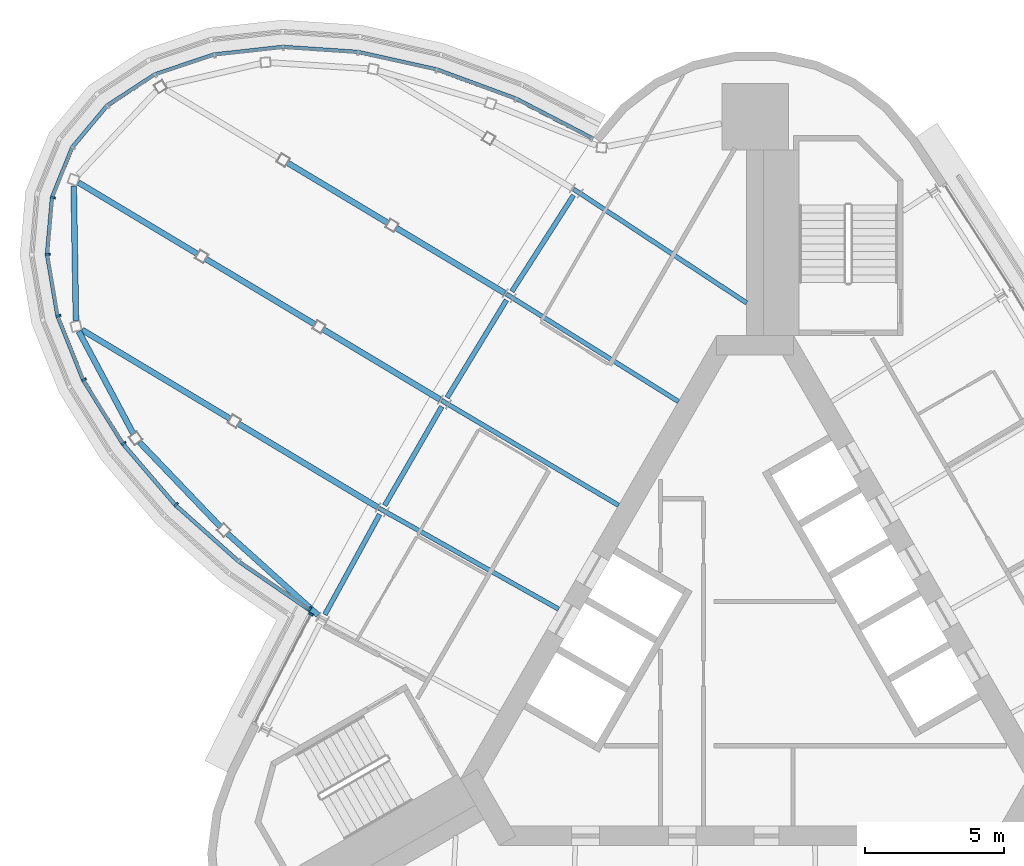
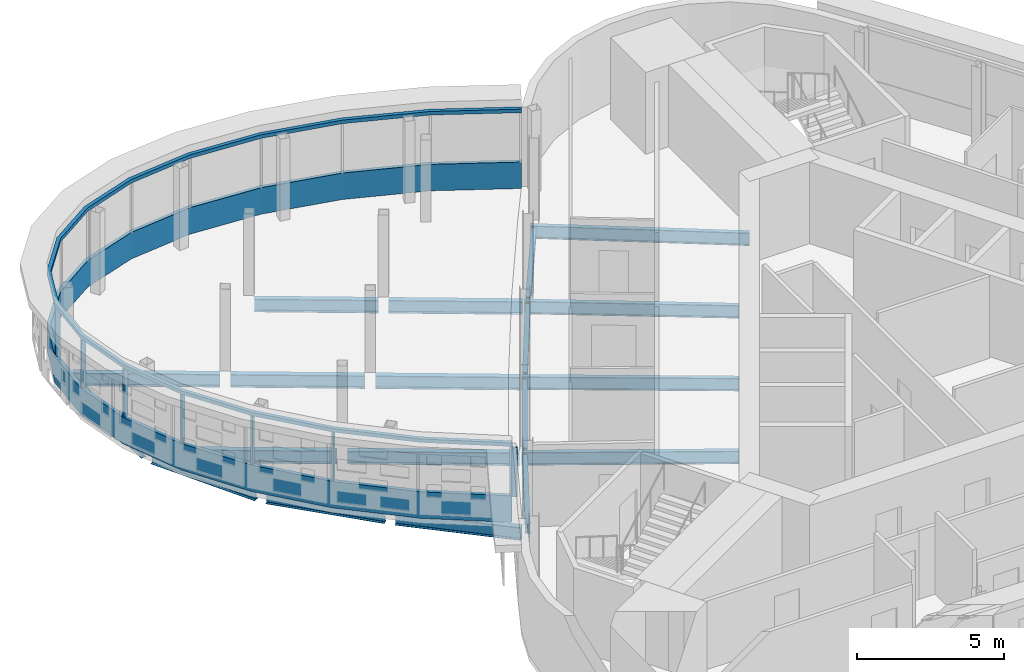
# One storey, part 5 of 13: 19 beams, 10 members, 2 elements without a shape of their own.
"""IFC4 building model written with IfcOpenShell, lengths in metres."""

import ifcopenshell
import ifcopenshell.guid

model = None  # the IFC model being written
_history = None  # IfcOwnerHistory: only IFC2X3 demands one
_inside = {}  # id of a spatial element -> (the spatial element, [elements in it])
_under = {}  # id of a project, library or spatial element -> (it, [spatial elements below it])
_declared = {}  # id of a project -> (the project, [libraries it declares])
_typed = {}  # id of a type object -> (the type object, [elements of that type])
_made_of = {}  # id of a material, layer set ... -> (it, [elements and type objects made of it])


def new_model(schema):
    """Start an empty IFC model of exactly this schema.

    Asked for "IFC4X3", IfcOpenShell would pick the latest addendum, in which some entities
    have other attributes; the version numbers below select the first issue.
    IFC2X3 requires an IfcOwnerHistory on every rooted entity: one is made here for all.
    """
    global model, _history
    if schema == "IFC4X3":
        model = ifcopenshell.file(schema_version=(4, 3, 0, 0))
    else:
        model = ifcopenshell.file(schema=schema)
    _inside.clear()
    _under.clear()
    _declared.clear()
    _typed.clear()
    _made_of.clear()
    _history = None
    if model.schema == "IFC2X3":
        org = make("IfcOrganization", Name="unknown")
        user = make(
            "IfcPersonAndOrganization",
            ThePerson=make("IfcPerson", FamilyName="unknown"),
            TheOrganization=org,
        )
        app = make(
            "IfcApplication",
            ApplicationDeveloper=org,
            Version="unknown",
            ApplicationFullName="unknown",
            ApplicationIdentifier="unknown",
        )
        _history = make(
            "IfcOwnerHistory",
            OwningUser=user,
            OwningApplication=app,
            ChangeAction="ADDED",
            CreationDate=0,
        )
    return model


def make(cls, **values):
    """One entity of the class cls with the attributes given. An attribute that is None is left unset."""
    return model.create_entity(
        cls, **{name: value for name, value in values.items() if value is not None}
    )


def rooted(cls, **values):
    """An entity with a GlobalId (a new one), such as an element, a storey or a relation."""
    return make(cls, GlobalId=ifcopenshell.guid.new(), OwnerHistory=_history, **values)


def si_unit(unit_type, name, prefix=None):
    """IfcSIUnit, for example si_unit("LENGTHUNIT", "METRE", prefix="MILLI")."""
    return make("IfcSIUnit", UnitType=unit_type, Prefix=prefix, Name=name)


def assignment(units):
    """IfcUnitAssignment: the units of a project."""
    return None if units is None else make("IfcUnitAssignment", Units=units)


def point(xyz):
    """IfcCartesianPoint."""
    return None if xyz is None else make("IfcCartesianPoint", Coordinates=xyz)


def direction(xyz):
    """IfcDirection."""
    return None if xyz is None else make("IfcDirection", DirectionRatios=xyz)


def frame(location, z_axis=None, x_axis=None):
    """IfcAxis2Placement3D, a coordinate frame: its origin and axes. An axis left out is left unset."""
    return make(
        "IfcAxis2Placement3D",
        Location=point(location),
        Axis=direction(z_axis),
        RefDirection=direction(x_axis),
    )


def frame_2d(location, x_axis=None):
    """IfcAxis2Placement2D, a coordinate frame in the plane: its origin and x axis."""
    return make(
        "IfcAxis2Placement2D", Location=point(location), RefDirection=direction(x_axis)
    )


def origin():
    """The frame at (0, 0, 0) with its axes left unset."""
    return frame((0.0, 0.0, 0.0))


def origin_2d():
    """The frame at (0, 0) in the plane with its x axis left unset."""
    return frame_2d((0.0, 0.0))


def place(relative_to, where):
    """IfcLocalPlacement: puts the frame where relative to a parent placement (None: the world)."""
    return make(
        "IfcLocalPlacement", PlacementRelTo=relative_to, RelativePlacement=where
    )


def context(
    kind, dimensions, precision=None, world=None, true_north=None, identifier=None
):
    """IfcGeometricRepresentationContext, for example the 3D "Model" context."""
    return make(
        "IfcGeometricRepresentationContext",
        ContextIdentifier=identifier,
        ContextType=kind,
        CoordinateSpaceDimension=dimensions,
        Precision=precision,
        WorldCoordinateSystem=world,
        TrueNorth=true_north,
    )


def subcontext(parent, identifier, kind, view, scale=None):
    """IfcGeometricRepresentationSubContext, for example "Body" below "Model"."""
    return make(
        "IfcGeometricRepresentationSubContext",
        ContextIdentifier=identifier,
        ContextType=kind,
        ParentContext=parent,
        TargetScale=scale,
        TargetView=view,
    )


def project(units=None, contexts=None):
    """IfcProject with its units and contexts."""
    return rooted(
        "IfcProject",
        Name="project",
        RepresentationContexts=contexts,
        UnitsInContext=assignment(units),
    )


def spatial(cls, under=None, at=None, **own):
    """A site, building, storey or space (cls), placed at a placement, below another one or the project."""
    s = rooted(cls, ObjectPlacement=at, **own)
    if under is not None:
        _under.setdefault(under.id(), (under, []))[1].append(s)
    return s


def polyline(points):
    """IfcPolyline through the points."""
    return make("IfcPolyline", Points=[point(p) for p in points])


def profile(cls, at=None, kind="AREA", **sizes):
    """A parametric profile (cls). Its sizes go by their IFC names, for example OverallWidth=200.0."""
    return make(cls, ProfileType=kind, Position=at, **sizes)


def rectangle(**sizes):
    """IfcRectangleProfileDef."""
    return profile("IfcRectangleProfileDef", **sizes)


def i_section(**sizes):
    """IfcIShapeProfileDef."""
    return profile("IfcIShapeProfileDef", **sizes)


def outline(outer, holes=None, kind="AREA"):
    """IfcArbitraryClosedProfileDef: a profile drawn as a closed curve; with holes, ...WithVoids."""
    if holes is None:
        return make("IfcArbitraryClosedProfileDef", ProfileType=kind, OuterCurve=outer)
    return make(
        "IfcArbitraryProfileDefWithVoids",
        ProfileType=kind,
        OuterCurve=outer,
        InnerCurves=holes,
    )


def extrude(swept, where, along, depth):
    """IfcExtrudedAreaSolid: the profile swept, set in the frame where, extruded along a direction by depth."""
    return make(
        "IfcExtrudedAreaSolid",
        SweptArea=swept,
        Position=where,
        ExtrudedDirection=direction(along),
        Depth=depth,
    )


def shape(context_of_items, identifier, shape_type, items):
    """IfcShapeRepresentation: the items that make up one representation, for example the "Body"."""
    return make(
        "IfcShapeRepresentation",
        ContextOfItems=context_of_items,
        RepresentationIdentifier=identifier,
        RepresentationType=shape_type,
        Items=items,
    )


def material(Name=None, Category=None):
    """IfcMaterial."""
    return make("IfcMaterial", Name=Name, Category=Category)


def material_profile(
    of_material, cross_section, Name=None, Category=None, Priority=None
):
    """IfcMaterialProfile: a cross section and its material."""
    return make(
        "IfcMaterialProfile",
        Name=Name,
        Material=of_material,
        Profile=cross_section,
        Priority=Priority,
        Category=Category,
    )


def profile_set(profiles, Name=None, composite=None):
    """IfcMaterialProfileSet."""
    return make(
        "IfcMaterialProfileSet",
        Name=Name,
        MaterialProfiles=profiles,
        CompositeProfile=composite,
    )


def made_of(thing, what):
    """Note that an element or type object is made of a material, layer set ...; save() writes the relation."""
    if what is not None:
        _made_of.setdefault(what.id(), (what, []))[1].append(thing)
    return thing


def type_object(cls, material=None, **own):
    """A type object (cls), such as IfcWallType, which elements share."""
    return made_of(rooted(cls, **own), material)


def element(
    cls,
    number,
    at=None,
    inside=None,
    cuts=None,
    type_object=None,
    material=None,
    context=None,
    identifier="Body",
    shape_type=None,
    held_by="IfcProductDefinitionShape",
    body=None,
    shapes=None,
    **own,
):
    """One element of the class cls, such as IfcWall. Its Tag is "e" and its number.

    at: its placement. inside: the storey or other place that contains it. cuts: it is an
    opening in that element (IfcRelVoidsElement). A single representation is given by context,
    identifier, shape_type and body (its items); several are given by shapes. held_by: the class
    of the entity that holds the representations. save() writes the other relations.
    """
    e = rooted(cls, Tag="e%d" % number, ObjectPlacement=at, **own)
    if body is not None:
        shapes = [shape(context, identifier, shape_type, body)]
    if shapes is not None:
        e.Representation = make(held_by, Representations=shapes)
    if inside is not None:
        _inside.setdefault(inside.id(), (inside, []))[1].append(e)
    if cuts is not None:
        rooted(
            "IfcRelVoidsElement", RelatingBuildingElement=cuts, RelatedOpeningElement=e
        )
    if type_object is not None:
        _typed.setdefault(type_object.id(), (type_object, []))[1].append(e)
    return made_of(e, material)


def aggregate(whole, parts):
    """IfcRelAggregates: a whole, such as a stair, and the parts it consists of."""
    return rooted("IfcRelAggregates", RelatingObject=whole, RelatedObjects=parts)


def save(model, path):
    """Write the relations noted so far, then the file.

    IfcRelAggregates (storeys below a building ...), IfcRelContainedInSpatialStructure (elements
    in a storey), IfcRelDefinesByType, IfcRelAssociatesMaterial and IfcRelDeclares: one each for
    every whole, place, type object, material and project.
    """
    for whole, parts in _under.values():
        aggregate(whole, parts)
    for where, things in _inside.values():
        rooted(
            "IfcRelContainedInSpatialStructure",
            RelatedElements=things,
            RelatingStructure=where,
        )
    for kind, things in _typed.values():
        rooted("IfcRelDefinesByType", RelatedObjects=things, RelatingType=kind)
    for what, things in _made_of.values():
        rooted("IfcRelAssociatesMaterial", RelatedObjects=things, RelatingMaterial=what)
    for by, libraries in _declared.values():
        rooted("IfcRelDeclares", RelatingContext=by, RelatedDefinitions=libraries)
    model.write(path)


model = new_model("IFC4")

# Units and contexts
model_context = context("Model", 3, precision=1e-05, world=origin(), true_north=direction((0.0, 1.0)))
body_context = subcontext(model_context, "Body", "Model", "MODEL_VIEW")
ifc_project = project(units=[si_unit("LENGTHUNIT", "METRE"), si_unit("AREAUNIT", "SQUARE_METRE"), si_unit("VOLUMEUNIT", "CUBIC_METRE"), si_unit("PLANEANGLEUNIT", "RADIAN"), si_unit("MASSUNIT", "GRAM", prefix="KILO")], contexts=[model_context])

# Site, building, storey
site_placement = place(None, origin())
site = spatial("IfcSite", under=ifc_project, at=site_placement, CompositionType="ELEMENT")
building_placement = place(site_placement, origin())
building = spatial("IfcBuilding", under=site, at=building_placement, Name="Noor Cloister Tower", CompositionType="ELEMENT")
storey_placement = place(building_placement, frame((0.0, 0.0, 267.0)))
storey = spatial("IfcBuildingStorey", under=building, at=storey_placement, Name="L68", CompositionType="ELEMENT", Elevation=267.0)

# Curtain wall, member
ifc_material_1 = material(Name="Aluminium 6063-T6 anodised", Category="aluminium")
curtain_wall_type_1 = type_object("IfcCurtainWallType", Name="Sky bar curtain wall, upper bars CW6", PredefinedType="NOTDEFINED", material=ifc_material_1)
curtain_wall_1_placement = place(storey_placement, origin())
curtain_wall_1 = element("IfcCurtainWall", 1, at=curtain_wall_1_placement, inside=storey, type_object=curtain_wall_type_1, Name="CW6 L68 NW sky bar run 1", PredefinedType="NOTDEFINED")
ifc_material_2 = material(Name="Aluminium 6063-T6 anodised", Category="aluminium")
member_type_1 = type_object("IfcMemberType", Name="Head transom CW6 150", PredefinedType="USERDEFINED", material=ifc_material_2)
member_1_placement = place(storey_placement, frame((0.0, 0.0, 3.14990234375)))
member_1 = element("IfcMember", 2, at=member_1_placement, type_object=member_type_1, Name="CW6 head transom", ObjectType="TRANSOM", PredefinedType="USERDEFINED", context=body_context, shape_type="SweptSolid", body=[
    extrude(outline(polyline([(-5.809814453125, 18.609619140625), (-8.585205078125, 20.05078125), (-11.451416015625, 21.107421875), (-14.298095703125, 21.7392578125), (-17.015869140625, 21.921875), (-19.500244140625, 21.6484375), (-21.65576171875, 20.928955078125), (-23.399658203125, 19.79150390625), (-24.6650390625, 18.27978515625), (-25.403076171875, 16.45166015625), (-25.58544921875, 14.377685546875), (-25.205078125, 12.13720703125), (-24.276611328125, 9.816650390625), (-22.8359375, 7.5048828125), (-20.938232421875, 5.291015625), (-18.65625, 3.260009765625), (-16.078125, 1.489990234375), (-15.9990234375, 1.60546875), (-18.56982421875, 3.37060546875), (-20.838134765625, 5.389404296875), (-22.72265625, 7.588134765625), (-24.1513671875, 9.880126953125), (-25.069580078125, 12.17529296875), (-25.4443359375, 14.38330078125), (-25.265380859375, 16.418701171875), (-24.54345703125, 18.206787109375), (-23.305908203125, 19.685791015625), (-21.594482421875, 20.802001953125), (-19.469970703125, 21.5107421875), (-17.012939453125, 21.781494140625), (-14.318115234375, 21.600341796875), (-11.490966796875, 20.972900390625), (-8.64208984375, 19.92236328125), (-5.874267578125, 18.4853515625), (-5.809814453125, 18.609619140625)])), origin(), (0.0, 0.0, 1.0), 0.150146484375),
])

ifc_material_3 = material(Name="Aluminium 6063-T6 anodised", Category="aluminium")
curtain_wall_type_2 = type_object("IfcCurtainWallType", Name="Ribbon curtain wall, upper tower CW5", PredefinedType="NOTDEFINED", material=ifc_material_3)
curtain_wall_2_placement = place(storey_placement, origin())
curtain_wall_2 = element("IfcCurtainWall", 3, at=curtain_wall_2_placement, inside=storey, type_object=curtain_wall_type_2, Name="CW5 L68 NW run 2", PredefinedType="NOTDEFINED")
ifc_material_4 = material(Name="Aluminium 6063-T6 anodised", Category="aluminium")
ifc_material_profile_1 = material_profile(ifc_material_4, rectangle(XDim=0.179931640625, YDim=0.070068359375, at=origin_2d()), Name="180 x 70 mullion")
ifc_profile_set_1 = profile_set([ifc_material_profile_1], Name="Aluminium 6063-T6 anodised")
member_type_2 = type_object("IfcMemberType", Name="Mullion CW5 70 x 180", PredefinedType="MULLION", material=ifc_profile_set_1)
member_2_placement = place(storey_placement, frame((-16.00537109375, 1.4130859375, 1.10009765625), z_axis=(0.0, 0.0, 1.0), x_axis=(0.888277980529, -0.459306247842, 0.0)))
member_2 = element("IfcMember", 4, at=member_2_placement, type_object=member_type_2, Name="CW5 mullion 1", PredefinedType="MULLION", context=body_context, shape_type="SweptSolid", body=[
    extrude(rectangle(XDim=0.179931640625, YDim=0.070068359375, at=origin_2d()), origin(), (0.0, 0.0, 1.0), 2.0498046875),
])
aggregate(curtain_wall_2, [member_2])

# Member
ifc_material_5 = material(Name="Aluminium 6063-T6 anodised", Category="aluminium")
ifc_material_profile_2 = material_profile(ifc_material_5, rectangle(XDim=0.179931640625, YDim=0.070068359375, at=origin_2d()), Name="180 x 70 mullion")
ifc_profile_set_2 = profile_set([ifc_material_profile_2], Name="Aluminium 6063-T6 anodised")
member_type_3 = type_object("IfcMemberType", Name="Mullion CW6 70 x 180", PredefinedType="MULLION", material=ifc_profile_set_2)
member_3_placement = place(storey_placement, frame((-25.3046875, 16.42822265625, 1.10009765625), z_axis=(0.0, 0.0, 1.0), x_axis=(0.972354362217, -0.233510158832, 0.0)))
member_3 = element("IfcMember", 5, at=member_3_placement, type_object=member_type_3, Name="CW6 mullion 10", PredefinedType="MULLION", context=body_context, shape_type="SweptSolid", body=[
    extrude(rectangle(XDim=0.179931640625, YDim=0.070068359375, at=origin_2d()), origin(), (0.0, 0.0, 1.0), 2.0498046875),
])

member_4_placement = place(storey_placement, frame((-25.484619140625, 14.381591796875, 1.10009765625), z_axis=(0.0, 0.0, 1.0), x_axis=(0.999190597813, 0.040226225795, 0.0)))
member_4 = element("IfcMember", 6, at=member_4_placement, type_object=member_type_3, Name="CW6 mullion 11", PredefinedType="MULLION", context=body_context, shape_type="SweptSolid", body=[
    extrude(rectangle(XDim=0.179931640625, YDim=0.070068359375, at=origin_2d()), origin(), (0.0, 0.0, 1.0), 2.0498046875),
])

member_5_placement = place(storey_placement, frame((-25.108154296875, 12.16455078125, 1.10009765625), z_axis=(0.0, 0.0, 1.0), x_axis=(0.962599996662, 0.270926643995, 0.0)))
member_5 = element("IfcMember", 7, at=member_5_placement, type_object=member_type_3, Name="CW6 mullion 12", PredefinedType="MULLION", context=body_context, shape_type="SweptSolid", body=[
    extrude(rectangle(XDim=0.179931640625, YDim=0.070068359375, at=origin_2d()), origin(), (0.0, 0.0, 1.0), 2.0498046875),
])

member_6_placement = place(storey_placement, frame((-24.18701171875, 9.862060546875, 1.10009765625), z_axis=(0.0, 0.0, 1.0), x_axis=(0.892044508873, 0.451947556902, 0.0)))
member_6 = element("IfcMember", 8, at=member_6_placement, type_object=member_type_3, Name="CW6 mullion 13", PredefinedType="MULLION", context=body_context, shape_type="SweptSolid", body=[
    extrude(rectangle(XDim=0.179931640625, YDim=0.070068359375, at=origin_2d()), origin(), (0.0, 0.0, 1.0), 2.0498046875),
])

member_7_placement = place(storey_placement, frame((-22.755126953125, 7.564208984375, 1.10009765625), z_axis=(0.0, 0.0, 1.0), x_axis=(0.806254638187, 0.591568642173, 0.0)))
member_7 = element("IfcMember", 9, at=member_7_placement, type_object=member_type_3, Name="CW6 mullion 14", PredefinedType="MULLION", context=body_context, shape_type="SweptSolid", body=[
    extrude(rectangle(XDim=0.179931640625, YDim=0.070068359375, at=origin_2d()), origin(), (0.0, 0.0, 1.0), 2.0498046875),
])

member_8_placement = place(storey_placement, frame((-20.86669921875, 5.361328125, 1.10009765625), z_axis=(0.0, 0.0, 1.0), x_axis=(0.713665786899, 0.700486362901, 0.0)))
member_8 = element("IfcMember", 10, at=member_8_placement, type_object=member_type_3, Name="CW6 mullion 15", PredefinedType="MULLION", context=body_context, shape_type="SweptSolid", body=[
    extrude(rectangle(XDim=0.179931640625, YDim=0.070068359375, at=origin_2d()), origin(), (0.0, 0.0, 1.0), 2.0498046875),
])

member_9_placement = place(storey_placement, frame((-16.05029296875, 1.59228515625, 1.10009765625), z_axis=(0.0, 0.0, 1.0), x_axis=(0.565996619473, 0.824407561067, 0.0)))
member_9 = element("IfcMember", 11, at=member_9_placement, type_object=member_type_3, Name="CW6 mullion 17", PredefinedType="MULLION", context=body_context, shape_type="SweptSolid", body=[
    extrude(rectangle(XDim=0.179931640625, YDim=0.070068359375, at=origin_2d()), origin(), (0.0, 0.0, 1.0), 2.0498046875),
])

# Beams
ifc_material_6 = material(Name="Steel ASTM A992 Gr 50", Category="steel")
ifc_material_profile_3 = material_profile(ifc_material_6, i_section(OverallWidth=0.208984375, OverallDepth=0.532958984375, WebThickness=0.01025390625, FlangeThickness=0.015625, FilletRadius=0.0126953125, at=origin_2d()), Name="W530x92")
ifc_profile_set_3 = profile_set([ifc_material_profile_3], Name="Steel ASTM A992 Gr 50")
beam_type_1 = type_object("IfcBeamType", Name="Pod floor beam W530x92", PredefinedType="BEAM", material=ifc_profile_set_3)
beam_1_placement = place(storey_placement, frame((-9.01953125, 12.9814453125, -0.466552734375), z_axis=(-0.857549673653, 0.514401163701, 0.0), x_axis=(-0.514401163701, -0.857549673653, 0.0)))
element("IfcBeam", 12, at=beam_1_placement, inside=storey, type_object=beam_type_1, Name="Pod floor beam 5 L68 line 2 span 1", PredefinedType="BEAM", context=body_context, shape_type="SweptSolid", body=[
    extrude(i_section(OverallWidth=0.208984375, OverallDepth=0.532958984375, WebThickness=0.01025390625, FlangeThickness=0.015625, FilletRadius=0.0126953125, at=origin_2d()), origin(), (0.0, 0.0, 1.0), 4.554931640625),
])
beam_2_placement = place(storey_placement, frame((-13.23095703125, 15.507568359375, -0.466552734375), z_axis=(-0.857564335518, 0.51437672036, 0.0), x_axis=(-0.51437672036, -0.857564335518, 0.0)))
element("IfcBeam", 13, at=beam_2_placement, inside=storey, type_object=beam_type_1, Name="Pod floor beam 5 L68 line 2 span 2", PredefinedType="BEAM", context=body_context, shape_type="SweptSolid", body=[
    extrude(i_section(OverallWidth=0.208984375, OverallDepth=0.532958984375, WebThickness=0.01025390625, FlangeThickness=0.015625, FilletRadius=0.0126953125, at=origin_2d()), origin(), (0.0, 0.0, 1.0), 4.222900390625),
])
beam_3_placement = place(storey_placement, frame((-11.351318359375, 9.14794921875, -0.466552734375), z_axis=(-0.857571937762, 0.514364045752, 0.0), x_axis=(-0.514364045752, -0.857571937762, 0.0)))
element("IfcBeam", 14, at=beam_3_placement, inside=storey, type_object=beam_type_1, Name="Pod floor beam 5 L68 line 3 span 1", PredefinedType="BEAM", context=body_context, shape_type="SweptSolid", body=[
    extrude(i_section(OverallWidth=0.208984375, OverallDepth=0.532958984375, WebThickness=0.01025390625, FlangeThickness=0.015625, FilletRadius=0.0126953125, at=origin_2d()), origin(), (0.0, 0.0, 1.0), 4.906982421875),
])
beam_4_placement = place(storey_placement, frame((-15.864501953125, 11.85498046875, -0.466552734375), z_axis=(-0.857572942676, 0.514362370309, 0.0), x_axis=(-0.514362370309, -0.857572942676, 0.0)))
element("IfcBeam", 15, at=beam_4_placement, inside=storey, type_object=beam_type_1, Name="Pod floor beam 5 L68 line 3 span 2", PredefinedType="BEAM", context=body_context, shape_type="SweptSolid", body=[
    extrude(i_section(OverallWidth=0.208984375, OverallDepth=0.532958984375, WebThickness=0.01025390625, FlangeThickness=0.015625, FilletRadius=0.0126953125, at=origin_2d()), origin(), (0.0, 0.0, 1.0), 4.576171875),
])
beam_5_placement = place(storey_placement, frame((-20.093994140625, 14.391845703125, -0.466552734375), z_axis=(-0.857578998732, 0.514352273187, 0.0), x_axis=(-0.514352273187, -0.857578998732, 0.0)))
element("IfcBeam", 16, at=beam_5_placement, inside=storey, type_object=beam_type_1, Name="Pod floor beam 5 L68 line 3 span 3", PredefinedType="BEAM", context=body_context, shape_type="SweptSolid", body=[
    extrude(i_section(OverallWidth=0.208984375, OverallDepth=0.532958984375, WebThickness=0.01025390625, FlangeThickness=0.015625, FilletRadius=0.0126953125, at=origin_2d()), origin(), (0.0, 0.0, 1.0), 5.0048828125),
])
beam_6_placement = place(storey_placement, frame((-13.59716796875, 5.26318359375, -0.466552734375), z_axis=(-0.857551827323, 0.514397573338, 0.0), x_axis=(-0.514397573338, -0.857551827323, 0.0)))
element("IfcBeam", 17, at=beam_6_placement, inside=storey, type_object=beam_type_1, Name="Pod floor beam 5 L68 line 4 span 1", PredefinedType="BEAM", context=body_context, shape_type="SweptSolid", body=[
    extrude(i_section(OverallWidth=0.208984375, OverallDepth=0.532958984375, WebThickness=0.01025390625, FlangeThickness=0.015625, FilletRadius=0.0126953125, at=origin_2d()), origin(), (0.0, 0.0, 1.0), 5.85107421875),
])
beam_7_placement = place(storey_placement, frame((-18.920166015625, 8.4560546875, -0.466552734375), z_axis=(-0.857565617826, 0.5143745825, 0.0), x_axis=(-0.5143745825, -0.857565617826, 0.0)))
element("IfcBeam", 18, at=beam_7_placement, inside=storey, type_object=beam_type_1, Name="Pod floor beam 5 L68 line 4 span 2", PredefinedType="BEAM", context=body_context, shape_type="SweptSolid", body=[
    extrude(i_section(OverallWidth=0.208984375, OverallDepth=0.532958984375, WebThickness=0.01025390625, FlangeThickness=0.015625, FilletRadius=0.0126953125, at=origin_2d()), origin(), (0.0, 0.0, 1.0), 6.222412109375),
])
beam_8_placement = place(storey_placement, frame((-24.556396484375, 16.841796875, -0.466552734375), z_axis=(0.016659320704, -0.999861223887, 0.0), x_axis=(0.999861223887, 0.016659320704, 0.0)))
element("IfcBeam", 19, at=beam_8_placement, inside=storey, type_object=beam_type_1, Name="Pod floor beam 5 L68 ring 7", PredefinedType="BEAM", context=body_context, shape_type="SweptSolid", body=[
    extrude(i_section(OverallWidth=0.208984375, OverallDepth=0.532958984375, WebThickness=0.01025390625, FlangeThickness=0.015625, FilletRadius=0.0126953125, at=origin_2d()), origin(), (0.0, 0.0, 1.0), 4.850830078125),
])
beam_9_placement = place(storey_placement, frame((-24.372802734375, 11.599853515625, -0.466552734375), z_axis=(0.47044245318, -0.88243067617, 0.0), x_axis=(0.88243067617, 0.47044245318, 0.0)))
element("IfcBeam", 20, at=beam_9_placement, inside=storey, type_object=beam_type_1, Name="Pod floor beam 5 L68 ring 8", PredefinedType="BEAM", context=body_context, shape_type="SweptSolid", body=[
    extrude(i_section(OverallWidth=0.208984375, OverallDepth=0.532958984375, WebThickness=0.01025390625, FlangeThickness=0.015625, FilletRadius=0.0126953125, at=origin_2d()), origin(), (0.0, 0.0, 1.0), 4.17236328125),
])
beam_10_placement = place(storey_placement, frame((-22.1845703125, 7.6064453125, -0.466552734375), z_axis=(0.691487185943, -0.722388726155, 0.0), x_axis=(0.722388726155, 0.691487185943, 0.0)))
element("IfcBeam", 21, at=beam_10_placement, inside=storey, type_object=beam_type_1, Name="Pod floor beam 5 L68 ring 9", PredefinedType="BEAM", context=body_context, shape_type="SweptSolid", body=[
    extrude(i_section(OverallWidth=0.208984375, OverallDepth=0.532958984375, WebThickness=0.01025390625, FlangeThickness=0.015625, FilletRadius=0.0126953125, at=origin_2d()), origin(), (0.0, 0.0, 1.0), 4.2109375),
])
beam_11_placement = place(storey_placement, frame((-19.011474609375, 4.311279296875, -0.466552734375), z_axis=(0.743047947636, -0.669238184441, 0.0), x_axis=(0.669238184441, 0.743047947636, 0.0)))
element("IfcBeam", 22, at=beam_11_placement, inside=storey, type_object=beam_type_1, Name="Pod floor beam 5 L68 ring 10", PredefinedType="BEAM", context=body_context, shape_type="SweptSolid", body=[
    extrude(i_section(OverallWidth=0.208984375, OverallDepth=0.532958984375, WebThickness=0.01025390625, FlangeThickness=0.015625, FilletRadius=0.0126953125, at=origin_2d()), origin(), (0.0, 0.0, 1.0), 4.389404296875),
])
ifc_material_7 = material(Name="Steel ASTM A992 Gr 50", Category="steel")
ifc_material_profile_4 = material_profile(ifc_material_7, i_section(OverallWidth=0.166015625, OverallDepth=0.528076171875, WebThickness=0.009765625, FlangeThickness=0.013671875, FilletRadius=0.0126953125, at=origin_2d()), Name="W530x74")
ifc_profile_set_4 = profile_set([ifc_material_profile_4], Name="Steel ASTM A992 Gr 50")
beam_type_2 = type_object("IfcBeamType", Name="Radial beam W530x74", PredefinedType="BEAM", material=ifc_profile_set_4)
beam_12_placement = place(storey_placement, frame((-6.54150390625, 16.73095703125, -0.464111328125), z_axis=(0.835598314328, -0.549340929744, 0.0), x_axis=(0.549340929744, 0.835598314328, 0.0)))
element("IfcBeam", 23, at=beam_12_placement, inside=storey, type_object=beam_type_2, Name="Radial beam NW 01 L68", PredefinedType="BEAM", context=body_context, shape_type="SweptSolid", body=[
    extrude(i_section(OverallWidth=0.166015625, OverallDepth=0.528076171875, WebThickness=0.009765625, FlangeThickness=0.013671875, FilletRadius=0.0126953125, at=origin_2d()), origin(), (0.0, 0.0, 1.0), 7.469482421875),
])
beam_13_placement = place(storey_placement, frame((-8.96435546875, 12.950927734375, -0.464111328125), z_axis=(0.848101414082, -0.529833928163, 0.0), x_axis=(0.529833928163, 0.848101414082, 0.0)))
element("IfcBeam", 24, at=beam_13_placement, inside=storey, type_object=beam_type_2, Name="Radial beam NW 02 L68", PredefinedType="BEAM", context=body_context, shape_type="SweptSolid", body=[
    extrude(i_section(OverallWidth=0.166015625, OverallDepth=0.528076171875, WebThickness=0.009765625, FlangeThickness=0.013671875, FilletRadius=0.0126953125, at=origin_2d()), origin(), (0.0, 0.0, 1.0), 7.31494140625),
])
for number, where, z_axis, x_axis, name in (
    (25, (-11.298828125, 9.11572265625, -0.464111328125), (0.860162619342, -0.510019870482, 0.0), (0.510019870482, 0.860162619342, 0.0), "Radial beam NW 03 L68"),
    (26, (-13.5439453125, 5.227294921875, -0.464111328125), (0.871770669318, -0.489914176277, 0.0), (0.489914176277, 0.871770669318, 0.0), "Radial beam NW 04 L68"),
):
    element("IfcBeam", number, at=place(storey_placement, frame(where, z_axis=z_axis, x_axis=x_axis)), inside=storey, type_object=beam_type_2, Name=name, PredefinedType="BEAM", context=body_context, shape_type="SweptSolid", body=[
        extrude(i_section(OverallWidth=0.166015625, OverallDepth=0.528076171875, WebThickness=0.009765625, FlangeThickness=0.013671875, FilletRadius=0.0126953125, at=origin_2d()), origin(), (0.0, 0.0, 1.0), 7.415283203125),
    ])

# Member
ifc_material_8 = material(Name="Aluminium 6063-T6 anodised", Category="aluminium")
member_type_4 = type_object("IfcMemberType", Name="Sill transom CW6 1100", PredefinedType="USERDEFINED", material=ifc_material_8)
member_10_placement = place(storey_placement, origin())
member_10 = element("IfcMember", 27, at=member_10_placement, type_object=member_type_4, Name="CW6 sill transom", ObjectType="TRANSOM", PredefinedType="USERDEFINED", context=body_context, shape_type="SweptSolid", body=[
    extrude(outline(polyline([(-5.809814453125, 18.609619140625), (-8.585205078125, 20.05078125), (-11.451416015625, 21.107421875), (-14.298095703125, 21.7392578125), (-17.015869140625, 21.921875), (-19.500244140625, 21.6484375), (-21.65576171875, 20.928955078125), (-23.399658203125, 19.79150390625), (-24.6650390625, 18.27978515625), (-25.403076171875, 16.45166015625), (-25.58544921875, 14.377685546875), (-25.205078125, 12.13720703125), (-24.276611328125, 9.816650390625), (-22.8359375, 7.5048828125), (-20.938232421875, 5.291015625), (-18.65625, 3.260009765625), (-16.078125, 1.489990234375), (-15.9990234375, 1.60546875), (-18.56982421875, 3.37060546875), (-20.838134765625, 5.389404296875), (-22.72265625, 7.588134765625), (-24.1513671875, 9.880126953125), (-25.069580078125, 12.17529296875), (-25.4443359375, 14.38330078125), (-25.265380859375, 16.418701171875), (-24.54345703125, 18.206787109375), (-23.305908203125, 19.685791015625), (-21.594482421875, 20.802001953125), (-19.469970703125, 21.5107421875), (-17.012939453125, 21.781494140625), (-14.318115234375, 21.600341796875), (-11.490966796875, 20.972900390625), (-8.64208984375, 19.92236328125), (-5.874267578125, 18.4853515625), (-5.809814453125, 18.609619140625)])), origin(), (0.0, 0.0, 1.0), 1.10009765625),
])

aggregate(curtain_wall_1, [member_3, member_4, member_5, member_6, member_7, member_8, member_9, member_10, member_1])

# Beams
ifc_material_9 = material(Name="Steel ASTM A992 Gr 50", Category="steel")
ifc_material_profile_5 = material_profile(ifc_material_9, i_section(OverallWidth=0.177978515625, OverallDepth=0.406005859375, WebThickness=0.0078125, FlangeThickness=0.0126953125, FilletRadius=0.01025390625, at=origin_2d()), Name="W410x60")
ifc_profile_set_5 = profile_set([ifc_material_profile_5], Name="Steel ASTM A992 Gr 50")
beam_type_3 = type_object("IfcBeamType", Name="Spandrel beam W410x60", PredefinedType="SPANDREL", material=ifc_profile_set_5)
for number, where, z_axis, x_axis, name in (
    (28, (-6.541748046875, 16.50927734375, -0.403076171875), (-0.539635932385, -0.841898485851, 0.0), (0.841898485851, -0.539635932385, 0.0), "Spandrel beam NW 01 L68"),
    (29, (-8.95947265625, 12.729248046875, -0.403076171875), (-0.51992813058, -0.85421000874, 0.0), (0.85421000874, -0.51992813058, 0.0), "Spandrel beam NW 02 L68"),
    (30, (-11.288818359375, 8.89404296875, -0.403076171875), (-0.500004836318, -0.866022611517, 0.0), (0.866022611517, -0.500004836318, 0.0), "Spandrel beam NW 03 L68"),
    (31, (-13.52880859375, 5.006103515625, -0.403076171875), (-0.479770251557, -0.87739415642, 0.0), (0.87739415642, -0.479770251557, 0.0), "Spandrel beam NW 04 L68"),
):
    element("IfcBeam", number, at=place(storey_placement, frame(where, z_axis=z_axis, x_axis=x_axis)), inside=storey, type_object=beam_type_3, Name=name, PredefinedType="SPANDREL", context=body_context, shape_type="SweptSolid", body=[
        extrude(i_section(OverallWidth=0.177978515625, OverallDepth=0.406005859375, WebThickness=0.0078125, FlangeThickness=0.0126953125, FilletRadius=0.01025390625, at=origin_2d()), origin(), (0.0, 0.0, 1.0), 4.1162109375),
    ])

save(model, "model.ifc")
